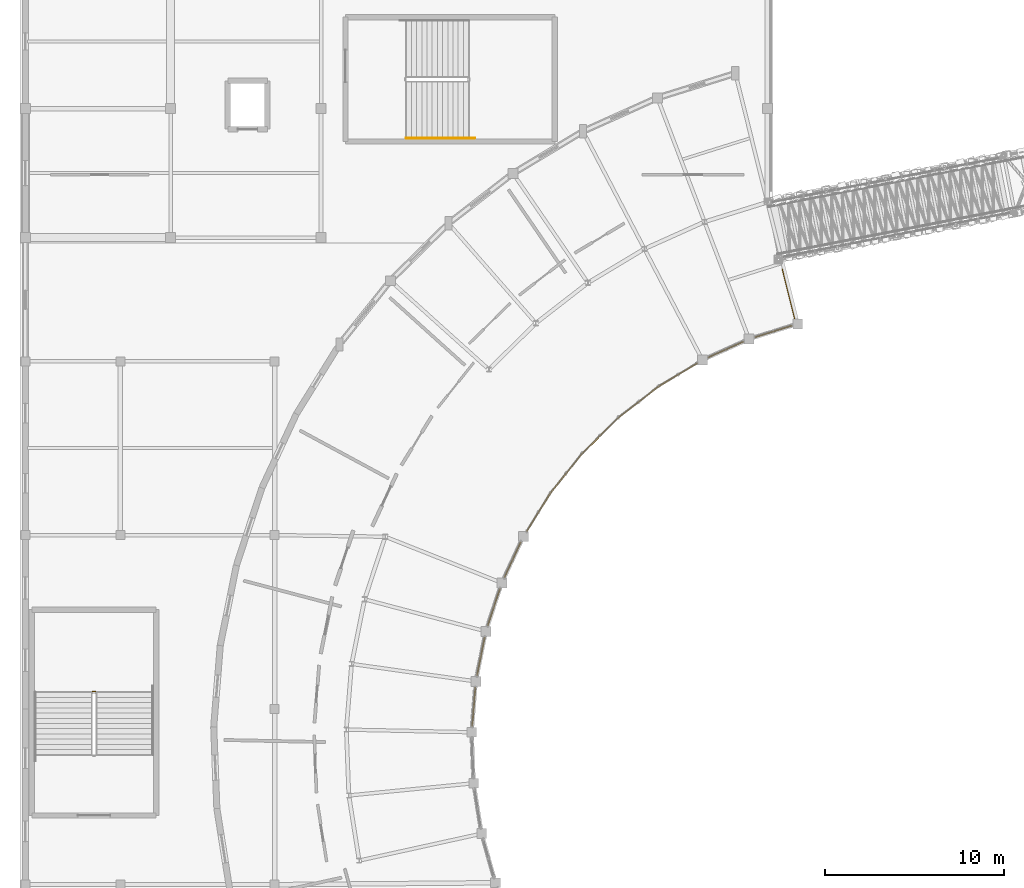
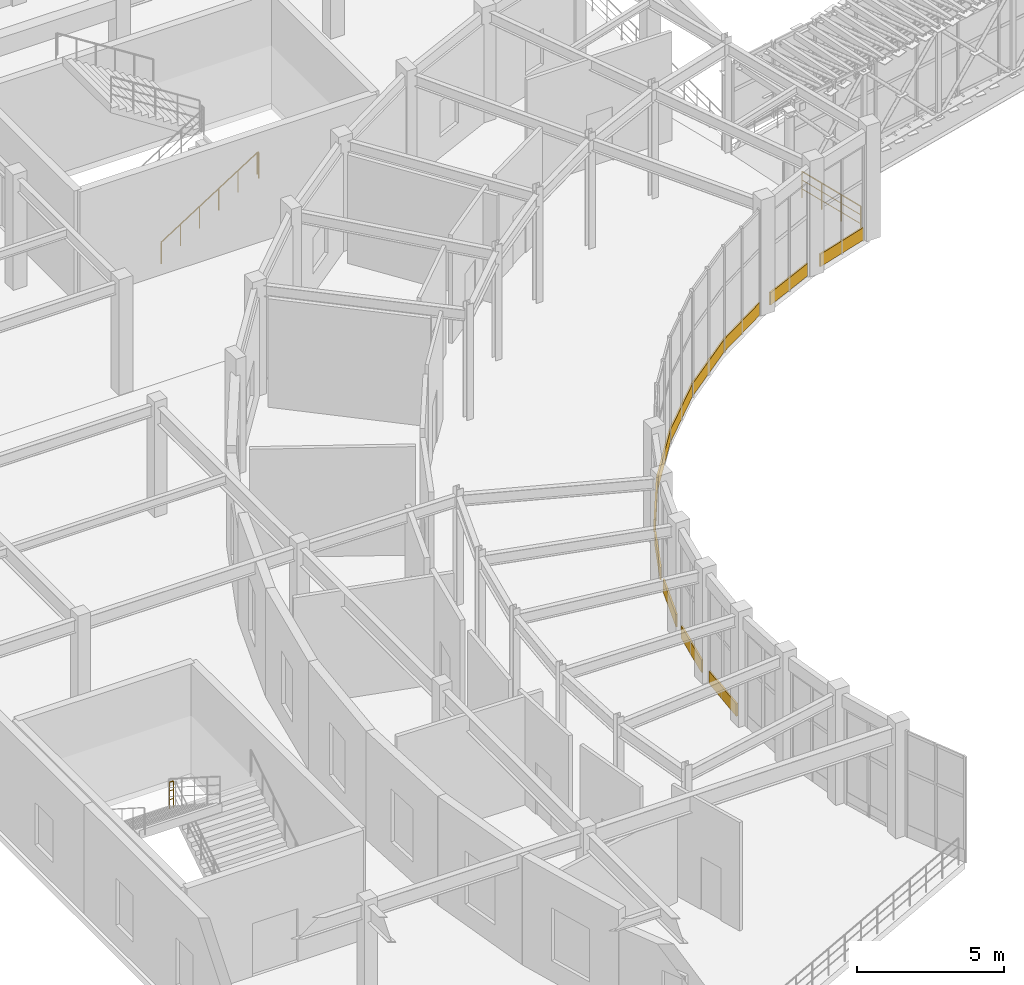
# One storey, part 137 of 144: 11 coverings, 3 railings.
"""IFC4 building model written with IfcOpenShell, lengths in metres."""

from ifc_helpers import new_model, si_unit, direction, frame, origin, origin_2d, place, context, subcontext, project, spatial, rectangle, circle, extrude, material, layer, layer_set, type_object, element, save


model = new_model("IFC4")

# Units and contexts
model_context = context("Model", 3, precision=1e-05, world=origin(), true_north=direction((0.0, 1.0)))
body_context = subcontext(model_context, "Body", "Model", "MODEL_VIEW")
ifc_project = project(units=[si_unit("LENGTHUNIT", "METRE"), si_unit("AREAUNIT", "SQUARE_METRE"), si_unit("VOLUMEUNIT", "CUBIC_METRE"), si_unit("PLANEANGLEUNIT", "RADIAN"), si_unit("MASSUNIT", "GRAM", prefix="KILO")], contexts=[model_context])

# Site, building, storey
site_placement = place(None, origin())
site = spatial("IfcSite", under=ifc_project, at=site_placement, CompositionType="ELEMENT")
building_placement = place(site_placement, origin())
building = spatial("IfcBuilding", under=site, at=building_placement, Name="Cinderbank Siding Concert Hall", CompositionType="ELEMENT")
storey_placement = place(building_placement, frame((0.0, 0.0, 5.39990234375)))
storey = spatial("IfcBuildingStorey", under=building, at=storey_placement, Name="L02", CompositionType="ELEMENT", Elevation=5.39990234375)

# Coverings
ifc_material_1 = material(Name="Spotted gum glulam timber GL18 (42 MPa)", Category="wood")
ifc_layer = layer(ifc_material_1, 0.06494140625)
ifc_layer_set = layer_set([ifc_layer], Name="Spotted gum glulam timber GL18 (42 MPa)")
covering_type = type_object("IfcCoveringType", Name="CL-01 Spotted Gum Spandrel Band 520mm", PredefinedType="CLADDING", material=ifc_layer_set)
for number, where, z_axis, x_axis, name in (
    (1, (48.835693359375, 90.861328125, 0.0), (0.0, 0.0, 1.0), (-0.954240278145, -0.29904095299, 0.0), "CW-L02-108 Spotted Gum Spandrel Band"),
    (2, (46.17919921875, 89.852294921875, 0.0), (0.0, 0.0, 1.0), (-0.912121872087, -0.409919126731, 0.0), "CW-L02-109 Spotted Gum Spandrel Band"),
):
    element("IfcCovering", number, at=place(storey_placement, frame(where, z_axis=z_axis, x_axis=x_axis)), inside=storey, type_object=covering_type, Name=name, PredefinedType="CLADDING", context=body_context, shape_type="SweptSolid", body=[
        extrude(rectangle(XDim=2.166748046875, YDim=0.06494140625, at=origin_2d()), origin(), (0.0, 0.0, 1.0), 0.52001953125),
    ])
covering_1_placement = place(storey_placement, frame((43.51513671875, 88.4482421875, 0.0), z_axis=(0.0, 0.0, 1.0), x_axis=(-0.857161096841, -0.515048399727, 0.0)))
element("IfcCovering", 3, at=covering_1_placement, inside=storey, type_object=covering_type, Name="CW-L02-110 Spotted Gum Spandrel Band", PredefinedType="CLADDING", context=body_context, shape_type="SweptSolid", body=[
    extrude(rectangle(XDim=2.506591796875, YDim=0.06494140625, at=origin_2d()), origin(), (0.0, 0.0, 1.0), 0.52001953125),
])
for number, where, z_axis, x_axis, name in (
    (4, (41.316162109375, 86.930419921875, 0.0), (0.0, 0.0, 1.0), (-0.790161124037, -0.612899174466, 0.0), "CW-L02-111 Spotted Gum Spandrel Band"),
    (5, (39.177978515625, 85.05859375, 0.0), (0.0, 0.0, 1.0), (-0.712024905281, -0.702154209743, 0.0), "CW-L02-112 Spotted Gum Spandrel Band"),
    (6, (37.276611328125, 82.94677734375, 0.0), (0.0, 0.0, 1.0), (-0.62388932091, -0.781512709592, 0.0), "CW-L02-113 Spotted Gum Spandrel Band"),
):
    element("IfcCovering", number, at=place(storey_placement, frame(where, z_axis=z_axis, x_axis=x_axis)), inside=storey, type_object=covering_type, Name=name, PredefinedType="CLADDING", context=body_context, shape_type="SweptSolid", body=[
        extrude(rectangle(XDim=2.8466796875, YDim=0.06494140625, at=origin_2d()), origin(), (0.0, 0.0, 1.0), 0.52001953125),
    ])
covering_2_placement = place(storey_placement, frame((35.72802734375, 80.769287109375, 0.0), z_axis=(0.0, 0.0, 1.0), x_axis=(-0.526957938243, -0.849891364424, 0.0)))
element("IfcCovering", 7, at=covering_2_placement, inside=storey, type_object=covering_type, Name="CW-L02-114 Spotted Gum Spandrel Band", PredefinedType="CLADDING", context=body_context, shape_type="SweptSolid", body=[
    extrude(rectangle(XDim=2.506591796875, YDim=0.06494140625, at=origin_2d()), origin(), (0.0, 0.0, 1.0), 0.52001953125),
])
for number, where, z_axis, x_axis, name in (
    (8, (34.286865234375, 78.125, 0.0), (0.0, 0.0, 1.0), (-0.422596979175, -0.906317710956, 0.0), "CW-L02-115 Spotted Gum Spandrel Band"),
    (9, (33.24072265625, 75.48291015625, 0.0), (0.0, 0.0, 1.0), (-0.312357553034, -0.949964609374, 0.0), "CW-L02-116 Spotted Gum Spandrel Band"),
):
    element("IfcCovering", number, at=place(storey_placement, frame(where, z_axis=z_axis, x_axis=x_axis)), inside=storey, type_object=covering_type, Name=name, PredefinedType="CLADDING", context=body_context, shape_type="SweptSolid", body=[
        extrude(rectangle(XDim=2.166748046875, YDim=0.06494140625, at=origin_2d()), origin(), (0.0, 0.0, 1.0), 0.52001953125),
    ])
covering_3_placement = place(storey_placement, frame((32.514892578125, 72.735595703125, 0.0), z_axis=(0.0, 0.0, 1.0), x_axis=(-0.197635905492, -0.980275496409, 0.0)))
element("IfcCovering", 10, at=covering_3_placement, inside=storey, type_object=covering_type, Name="CW-L02-117 Spotted Gum Spandrel Band", PredefinedType="CLADDING", context=body_context, shape_type="SweptSolid", body=[
    extrude(rectangle(XDim=2.16650390625, YDim=0.06494140625, at=origin_2d()), origin(), (0.0, 0.0, 1.0), 0.52001953125),
])
covering_4_placement = place(storey_placement, frame((32.119384765625, 69.92138671875, 0.0), z_axis=(0.0, 0.0, 1.0), x_axis=(-0.0801961758, -0.996779099594, 0.0)))
element("IfcCovering", 11, at=covering_4_placement, inside=storey, type_object=covering_type, Name="CW-L02-118 Spotted Gum Spandrel Band", PredefinedType="CLADDING", context=body_context, shape_type="SweptSolid", body=[
    extrude(rectangle(XDim=2.166748046875, YDim=0.06494140625, at=origin_2d()), origin(), (0.0, 0.0, 1.0), 0.52001953125),
])

# Railings
ifc_material_2 = material(Name="Structural steel AS/NZS 3679.1 Grade 350 (340 MPa)", Category="steel")
railing_type_1 = type_object("IfcRailingType", Name="GD-01 Terrace & Perimeter Guardrail 1120mm", PredefinedType="GUARDRAIL", material=ifc_material_2)
railing_1_placement = place(storey_placement, frame((49.3232421875, 94.36572265625, 0.0)))
element("IfcRailing", 12, at=railing_1_placement, inside=storey, type_object=railing_type_1, Name="L02 Perimeter Guardrail #47", PredefinedType="GUARDRAIL", context=body_context, shape_type="SweptSolid", body=[
    extrude(circle(Radius=0.02392578125, at=origin_2d()), frame((0.0, 0.0, 1.09619140625), z_axis=(0.241956892798, -0.970286999824, 0.0), x_axis=(0.970286999824, 0.241956892798, 0.0)), (0.0, 0.0, 1.0), 2.878662109375),
    extrude(circle(Radius=0.01611328125, at=origin_2d()), frame((0.0, 0.0, 0.36962890625), z_axis=(0.241956892798, -0.970286999824, 0.0), x_axis=(0.970286999824, 0.241956892798, 0.0)), (0.0, 0.0, 1.0), 2.878662109375),
    extrude(circle(Radius=0.01611328125, at=origin_2d()), frame((0.0, 0.0, 0.7392578125), z_axis=(0.241956892798, -0.970286999824, 0.0), x_axis=(0.970286999824, 0.241956892798, 0.0)), (0.0, 0.0, 1.0), 2.878662109375),
    extrude(circle(Radius=0.02099609375, at=origin_2d()), origin(), (0.0, 0.0, 1.0), 1.072021484375),
    extrude(circle(Radius=0.02099609375, at=origin_2d()), frame((0.232177734375, -0.93115234375, 0.0)), (0.0, 0.0, 1.0), 1.072021484375),
    extrude(circle(Radius=0.02099609375, at=origin_2d()), frame((0.46435546875, -1.862060546875, 0.0)), (0.0, 0.0, 1.0), 1.072021484375),
    extrude(circle(Radius=0.02099609375, at=origin_2d()), frame((0.696533203125, -2.793212890625, 0.0)), (0.0, 0.0, 1.0), 1.072021484375),
])
railing_type_2 = type_object("IfcRailingType", Name="STG-01 Stair Well Guardrail 1120mm", PredefinedType="GUARDRAIL", material=ifc_material_2)
railing_2_placement = place(storey_placement, frame((11.010009765625, 70.780029296875, 2.400146484375)))
element("IfcRailing", 13, at=railing_2_placement, inside=storey, type_object=railing_type_2, Name="L02 ST-09 stair guard 2", PredefinedType="GUARDRAIL", context=body_context, shape_type="SweptSolid", body=[
    extrude(circle(Radius=0.02392578125, at=origin_2d()), frame((0.0, 0.0, 1.09619140625), z_axis=(-1.0, 0.0, 0.0), x_axis=(0.0, -1.0, 0.0)), (0.0, 0.0, 1.0), 0.159912109375),
    extrude(circle(Radius=0.01611328125, at=origin_2d()), frame((0.0, 0.0, 0.36962890625), z_axis=(-1.0, 0.0, 0.0), x_axis=(0.0, -1.0, 0.0)), (0.0, 0.0, 1.0), 0.159912109375),
    extrude(circle(Radius=0.01611328125, at=origin_2d()), frame((0.0, 0.0, 0.7392578125), z_axis=(-1.0, 0.0, 0.0), x_axis=(0.0, -1.0, 0.0)), (0.0, 0.0, 1.0), 0.159912109375),
    extrude(circle(Radius=0.02099609375, at=origin_2d()), origin(), (0.0, 0.0, 1.0), 1.072021484375),
    extrude(circle(Radius=0.02099609375, at=origin_2d()), frame((-0.159912109375, 0.0, 0.0)), (0.0, 0.0, 1.0), 1.072021484375),
])
railing_type_3 = type_object("IfcRailingType", Name="STH-01 Stair Pitch Handrail 920mm", PredefinedType="HANDRAIL", material=ifc_material_2)
railing_3_placement = place(storey_placement, frame((28.35009765625, 101.64990234375, 0.184814453125)))
element("IfcRailing", 14, at=railing_3_placement, inside=storey, type_object=railing_type_3, Name="L02 ST-05 stair handrail 1", PredefinedType="HANDRAIL", context=body_context, shape_type="SweptSolid", body=[
    extrude(circle(Radius=0.02392578125, at=origin_2d()), frame((0.0, 0.0, 0.89599609375), z_axis=(0.843580498726, 0.0, 0.537002739443), x_axis=(0.0, 1.0, 0.0)), (0.0, 0.0, 1.0), 4.468994140625),
    extrude(circle(Radius=0.02392578125, at=origin_2d()), frame((3.77001953125, 0.0, 3.2958984375), z_axis=(1.0, 0.0, 0.0), x_axis=(0.0, 1.0, 0.0)), (0.0, 0.0, 1.0), 0.059814453125),
    extrude(circle(Radius=0.02099609375, at=origin_2d()), origin(), (0.0, 0.0, 1.0), 0.871826171875),
    extrude(circle(Radius=0.02099609375, at=origin_2d()), frame((0.75390625, 0.0, 0.47998046875)), (0.0, 0.0, 1.0), 0.871826171875),
    extrude(circle(Radius=0.02099609375, at=origin_2d()), frame((1.508056640625, 0.0, 0.9599609375)), (0.0, 0.0, 1.0), 0.871826171875),
    extrude(circle(Radius=0.02099609375, at=origin_2d()), frame((2.261962890625, 0.0, 1.43994140625)), (0.0, 0.0, 1.0), 0.871826171875),
    extrude(circle(Radius=0.02099609375, at=origin_2d()), frame((3.01611328125, 0.0, 1.919921875)), (0.0, 0.0, 1.0), 0.871826171875),
    extrude(circle(Radius=0.02099609375, at=origin_2d()), frame((3.77001953125, 0.0, 2.39990234375)), (0.0, 0.0, 1.0), 0.871826171875),
    extrude(circle(Radius=0.02099609375, at=origin_2d()), frame((3.829833984375, 0.0, 2.21533203125)), (0.0, 0.0, 1.0), 1.056396484375),
])

save(model, "model.ifc")
